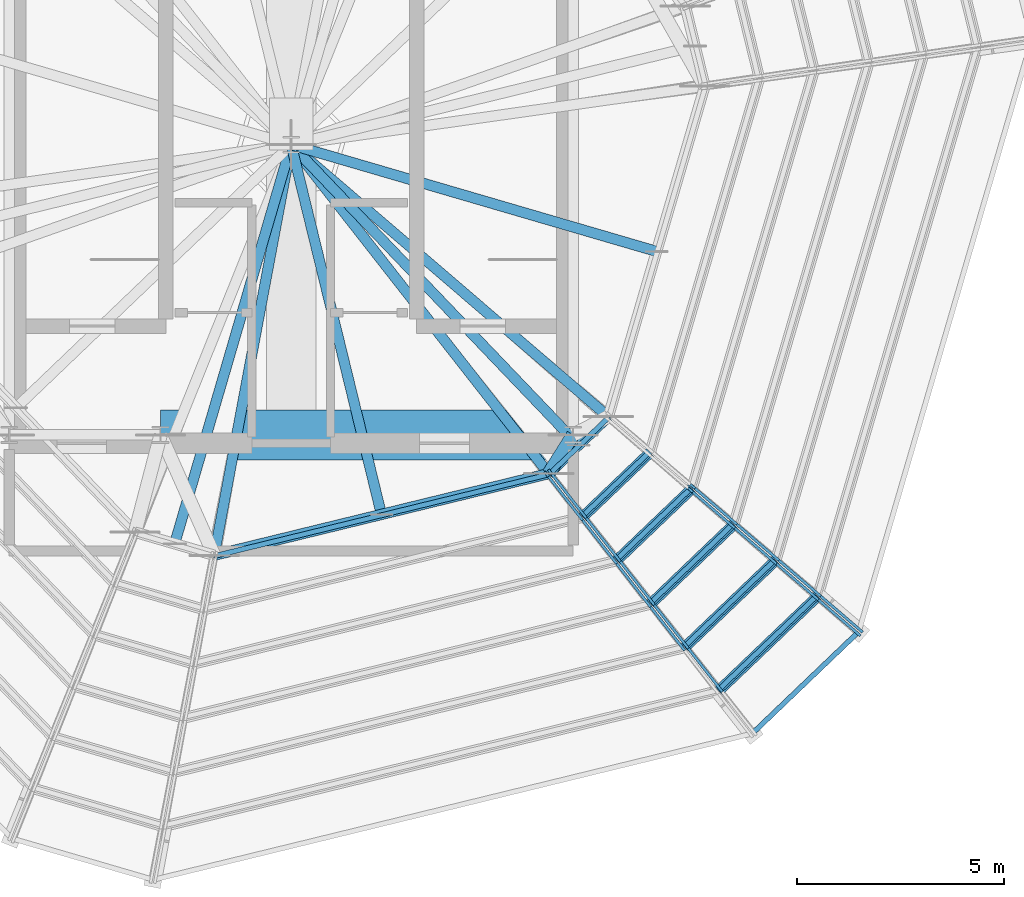
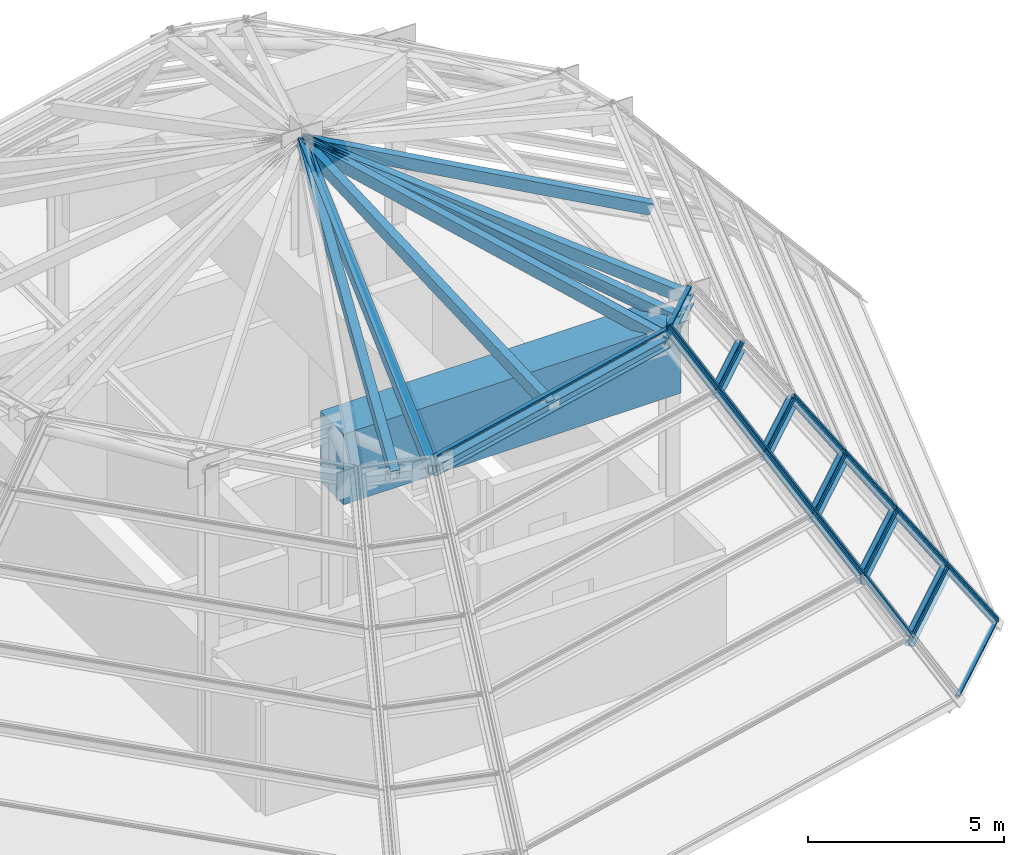
# One storey, part 4 of 13: 38 members, 8 beams, 14 elements without a shape of their own.
"""IFC4 building model written with IfcOpenShell, lengths in metres."""

from ifc_helpers import new_model, si_unit, direction, frame, origin, origin_2d, place, context, subcontext, project, spatial, rectangle, hollow_rectangle, hollow_circle, i_section, extrude, source, transform, mapped, material, layer, layer_set, material_profile, profile_set, type_object, element, aggregate, save


model = new_model("IFC4")

# Units and contexts
model_context = context("Model", 3, precision=1e-05, world=origin(), true_north=direction((0.0, 1.0)))
body_context = subcontext(model_context, "Body", "Model", "MODEL_VIEW")
ifc_project = project(units=[si_unit("LENGTHUNIT", "METRE"), si_unit("AREAUNIT", "SQUARE_METRE"), si_unit("VOLUMEUNIT", "CUBIC_METRE"), si_unit("PLANEANGLEUNIT", "RADIAN"), si_unit("MASSUNIT", "GRAM", prefix="KILO")], contexts=[model_context])

# Site, building, storey
site_placement = place(None, origin())
site = spatial("IfcSite", under=ifc_project, at=site_placement, CompositionType="ELEMENT")
building_placement = place(site_placement, origin())
building = spatial("IfcBuilding", under=site, at=building_placement, Name="Veraguas Prism Commons", CompositionType="ELEMENT")
storey_placement = place(building_placement, frame((0.0, 0.0, 268.89990234375)))
storey = spatial("IfcBuildingStorey", under=building, at=storey_placement, Name="RF", CompositionType="ELEMENT", Elevation=268.89990234375)

# Member
ifc_material_1 = material(Name="Steel ASTM A500 Grade C", Category="steel")
ifc_material_profile_1 = material_profile(ifc_material_1, hollow_circle(Radius=0.162109375, WallThickness=0.01611328125, at=origin_2d()), Name="CHS324X16")
ifc_profile_set_1 = profile_set([ifc_material_profile_1], Name="Steel ASTM A500 Grade C")
member_type_1 = type_object("IfcMemberType", Name="Crown Apex Collar Strut CHS 324x16", PredefinedType="STRUT", material=ifc_profile_set_1)
member_1_placement = place(storey_placement, frame((30.211181640625, 16.06689453125, 9.067138671875), z_axis=(0.533693263088, 0.845678130813, 0.0), x_axis=(-0.845678130813, 0.533693263088, 0.0)))
element("IfcMember", 1, at=member_1_placement, inside=storey, type_object=member_type_1, Name="Crown Apex Collar Strut 11", PredefinedType="STRUT", context=body_context, shape_type="SweptSolid", body=[
    extrude(hollow_circle(Radius=0.162109375, WallThickness=0.01611328125, at=origin_2d()), origin(), (0.0, 0.0, 1.0), 1.103271484375),
])

# Beams
ifc_material_2 = material(Name="Steel ASTM A992 Grade 50", Category="steel")
ifc_material_profile_2 = material_profile(ifc_material_2, i_section(OverallWidth=0.25390625, OverallDepth=0.305908203125, WebThickness=0.0087890625, FlangeThickness=0.0146484375, at=origin_2d()), Name="W310X79")
ifc_profile_set_2 = profile_set([ifc_material_profile_2], Name="Steel ASTM A992 Grade 50")
beam_type_1 = type_object("IfcBeamType", Name="Crown Ring Spandrel W310x79", PredefinedType="SPANDREL", material=ifc_profile_set_2)
beam_1_placement = place(storey_placement, frame((22.143310546875, 14.09716796875, 9.067138671875), z_axis=(0.971466173368, 0.23717814824, 0.0), x_axis=(-0.23717814824, 0.971466173368, 0.0)))
element("IfcBeam", 2, at=beam_1_placement, inside=storey, type_object=beam_type_1, Name="Crown Facet Ring Beam T6-V10", PredefinedType="SPANDREL", context=body_context, shape_type="SweptSolid", body=[
    extrude(i_section(OverallWidth=0.25390625, OverallDepth=0.305908203125, WebThickness=0.0087890625, FlangeThickness=0.0146484375, at=origin_2d()), origin(), (0.0, 0.0, 1.0), 8.304931640625),
])
beam_2_placement = place(storey_placement, frame((34.31298828125, 10.828125, 1.430419921875), z_axis=(0.722725400586, 0.691135294532, 0.0), x_axis=(-0.691135294532, 0.722725400586, 0.0)))
element("IfcBeam", 3, at=beam_2_placement, inside=storey, type_object=beam_type_1, Name="Crown Facet Ring Beam T1-V11", PredefinedType="SPANDREL", context=body_context, shape_type="SweptSolid", body=[
    extrude(i_section(OverallWidth=0.25390625, OverallDepth=0.305908203125, WebThickness=0.0087890625, FlangeThickness=0.0146484375, at=origin_2d()), origin(), (0.0, 0.0, 1.0), 3.300048828125),
])
beam_3_placement = place(storey_placement, frame((33.49267578125, 11.8759765625, 3.013916015625), z_axis=(0.722764040315, 0.691094886414, 0.0), x_axis=(-0.691094886414, 0.722764040315, 0.0)))
element("IfcBeam", 4, at=beam_3_placement, inside=storey, type_object=beam_type_1, Name="Crown Facet Ring Beam T2-V11", PredefinedType="SPANDREL", context=body_context, shape_type="SweptSolid", body=[
    extrude(i_section(OverallWidth=0.25390625, OverallDepth=0.305908203125, WebThickness=0.0087890625, FlangeThickness=0.0146484375, at=origin_2d()), origin(), (0.0, 0.0, 1.0), 3.037353515625),
])
beam_4_placement = place(storey_placement, frame((32.67236328125, 12.923583984375, 4.59716796875), z_axis=(0.722722098814, 0.691138747204, 0.0), x_axis=(-0.691138747204, 0.722722098814, 0.0)))
element("IfcBeam", 5, at=beam_4_placement, inside=storey, type_object=beam_type_1, Name="Crown Facet Ring Beam T3-V11", PredefinedType="SPANDREL", context=body_context, shape_type="SweptSolid", body=[
    extrude(i_section(OverallWidth=0.25390625, OverallDepth=0.305908203125, WebThickness=0.0087890625, FlangeThickness=0.0146484375, at=origin_2d()), origin(), (0.0, 0.0, 1.0), 2.775146484375),
])
beam_5_placement = place(storey_placement, frame((31.85205078125, 13.971435546875, 6.180419921875), z_axis=(0.722719930562, 0.691141014532, 0.0), x_axis=(-0.691141014532, 0.722719930562, 0.0)))
element("IfcBeam", 6, at=beam_5_placement, inside=storey, type_object=beam_type_1, Name="Crown Facet Ring Beam T4-V11", PredefinedType="SPANDREL", context=body_context, shape_type="SweptSolid", body=[
    extrude(i_section(OverallWidth=0.25390625, OverallDepth=0.305908203125, WebThickness=0.0087890625, FlangeThickness=0.0146484375, at=origin_2d()), origin(), (0.0, 0.0, 1.0), 2.5126953125),
])
beam_6_placement = place(storey_placement, frame((31.031494140625, 15.019287109375, 7.763916015625), z_axis=(0.722771454137, 0.691087132773, 0.0), x_axis=(-0.691087132773, 0.722771454137, 0.0)))
element("IfcBeam", 7, at=beam_6_placement, inside=storey, type_object=beam_type_1, Name="Crown Facet Ring Beam T5-V11", PredefinedType="SPANDREL", context=body_context, shape_type="SweptSolid", body=[
    extrude(i_section(OverallWidth=0.25390625, OverallDepth=0.305908203125, WebThickness=0.0087890625, FlangeThickness=0.0146484375, at=origin_2d()), origin(), (0.0, 0.0, 1.0), 2.25),
])
beam_7_placement = place(storey_placement, frame((30.211181640625, 16.06689453125, 9.067138671875), z_axis=(0.722713876146, 0.691147345525, 0.0), x_axis=(-0.691147345525, 0.722713876146, 0.0)))
element("IfcBeam", 8, at=beam_7_placement, inside=storey, type_object=beam_type_1, Name="Crown Facet Ring Beam T6-V11", PredefinedType="SPANDREL", context=body_context, shape_type="SweptSolid", body=[
    extrude(i_section(OverallWidth=0.25390625, OverallDepth=0.305908203125, WebThickness=0.0087890625, FlangeThickness=0.0146484375, at=origin_2d()), origin(), (0.0, 0.0, 1.0), 1.98779296875),
])

# Members
ifc_material_profile_3 = material_profile(ifc_material_1, hollow_rectangle(XDim=0.25, YDim=0.35009765625, WallThickness=0.01611328125, at=origin_2d()), Name="HSS350X250X16")
ifc_profile_set_3 = profile_set([ifc_material_profile_3], Name="Steel ASTM A500 Grade C")
member_type_2 = type_object("IfcMemberType", Name="Glass Point Crown Rib HSS 350x250x16", PredefinedType="RAFTER", material=ifc_profile_set_3)
member_2_placement = place(storey_placement, frame((21.189208984375, 14.375732421875, 9.067138671875), z_axis=(0.263990942743, 0.903916177701, 0.336517942821), x_axis=(-0.959900396633, 0.280341271567, 0.0)))
element("IfcMember", 9, at=member_2_placement, inside=storey, type_object=member_type_2, Name="Crown Pyramidal Mid Rafter 09", PredefinedType="RAFTER", context=body_context, shape_type="SweptSolid", body=[
    extrude(hollow_rectangle(XDim=0.25, YDim=0.35009765625, WallThickness=0.01611328125, at=origin_2d()), origin(), (0.0, 0.0, 1.0), 10.647216796875),
])
member_3_placement = place(storey_placement, frame((22.143310546875, 14.09716796875, 9.067138671875), z_axis=(0.17362756464, 0.926059339502, 0.33506352908), x_axis=(-0.982873832801, 0.184279756877, 0.0)))
element("IfcMember", 10, at=member_3_placement, inside=storey, type_object=member_type_2, Name="Crown Pyramidal Hip Rafter 10", PredefinedType="RAFTER", context=body_context, shape_type="SweptSolid", body=[
    extrude(hollow_rectangle(XDim=0.25, YDim=0.35009765625, WallThickness=0.01611328125, at=origin_2d()), origin(), (0.0, 0.0, 1.0), 10.693603515625),
])
member_4_placement = place(storey_placement, frame((26.17724609375, 15.08203125, 9.067138671875), z_axis=(-0.22094229963, 0.9049764881, 0.363596006881), x_axis=(-0.971466855013, -0.237175356247, 0.0)))
element("IfcMember", 11, at=member_4_placement, inside=storey, type_object=member_type_2, Name="Crown Pyramidal Mid Rafter 10", PredefinedType="RAFTER", context=body_context, shape_type="SweptSolid", body=[
    extrude(hollow_rectangle(XDim=0.25, YDim=0.35009765625, WallThickness=0.01611328125, at=origin_2d()), origin(), (0.0, 0.0, 1.0), 9.854248046875),
])
member_5_placement = place(storey_placement, frame((30.211181640625, 16.06689453125, 9.067138671875), z_axis=(-0.580837256523, 0.741862576685, 0.335064171091), x_axis=(-0.787376639644, -0.616472243774, 0.0)))
element("IfcMember", 12, at=member_5_placement, inside=storey, type_object=member_type_2, Name="Crown Pyramidal Hip Rafter 11", PredefinedType="RAFTER", context=body_context, shape_type="SweptSolid", body=[
    extrude(hollow_rectangle(XDim=0.25, YDim=0.35009765625, WallThickness=0.01611328125, at=origin_2d()), origin(), (0.0, 0.0, 1.0), 10.693603515625),
])
member_6_placement = place(storey_placement, frame((30.929443359375, 16.75390625, 9.067138671875), z_axis=(-0.650828414762, 0.680568909211, 0.336523898638), x_axis=(-0.722721706456, -0.691139157491, 0.0)))
element("IfcMember", 13, at=member_6_placement, inside=storey, type_object=member_type_2, Name="Crown Pyramidal Mid Rafter 11", PredefinedType="RAFTER", context=body_context, shape_type="SweptSolid", body=[
    extrude(hollow_rectangle(XDim=0.25, YDim=0.35009765625, WallThickness=0.01611328125, at=origin_2d()), origin(), (0.0, 0.0, 1.0), 10.647216796875),
])
member_7_placement = place(storey_placement, frame((31.647705078125, 17.440673828125, 9.067138671875), z_axis=(-0.715175884153, 0.613396024886, 0.335065324049), x_axis=(-0.651028810726, -0.759053020285, 0.0)))
element("IfcMember", 14, at=member_7_placement, inside=storey, type_object=member_type_2, Name="Crown Pyramidal Hip Rafter 12", PredefinedType="RAFTER", context=body_context, shape_type="SweptSolid", body=[
    extrude(hollow_rectangle(XDim=0.25, YDim=0.35009765625, WallThickness=0.01611328125, at=origin_2d()), origin(), (0.0, 0.0, 1.0), 10.693359375),
])
member_8_placement = place(storey_placement, frame((32.811767578125, 21.426513671875, 9.067138671875), z_axis=(-0.894201663487, 0.261152570715, 0.36359691944), x_axis=(-0.280340060642, -0.959900750286, 0.0)))
element("IfcMember", 15, at=member_8_placement, inside=storey, type_object=member_type_2, Name="Crown Pyramidal Mid Rafter 12", PredefinedType="RAFTER", context=body_context, shape_type="SweptSolid", body=[
    extrude(hollow_rectangle(XDim=0.25, YDim=0.35009765625, WallThickness=0.01611328125, at=origin_2d()), origin(), (0.0, 0.0, 1.0), 9.854248046875),
])

# Beam
ifc_material_3 = material(Name="Concrete C50/60", Category="concrete")
ifc_material_profile_4 = material_profile(ifc_material_3, rectangle(XDim=1.199951171875, YDim=2.199951171875, at=origin_2d()), Name="RC1200X2200")
ifc_profile_set_4 = profile_set([ifc_material_profile_4], Name="Concrete C50/60")
beam_type_2 = type_object("IfcBeamType", Name="Podium Transfer Girder RC 1200x2200", PredefinedType="BEAM", material=ifc_profile_set_4)
beam_8_placement = place(storey_placement, frame((20.85009765625, 17.0, 8.1201171875), z_axis=(1.0, 0.0, 0.0), x_axis=(0.0, 1.0, 0.0)))
element("IfcBeam", 16, at=beam_8_placement, inside=storey, type_object=beam_type_2, Name="Crown Apex Transfer Beam South", PredefinedType="BEAM", context=body_context, shape_type="SweptSolid", body=[
    extrude(rectangle(XDim=1.199951171875, YDim=2.199951171875, at=origin_2d()), origin(), (0.0, 0.0, 1.0), 9.949951171875),
])

# Curtain wall, member
ifc_material_4 = material(Name="Anodised aluminium EN AW-6063 T6", Category="aluminium")
ifc_layer = layer(ifc_material_4, 0.199951171875, Name="Faceted Glass Point Crown Curtain Wall", Category="aluminium")
ifc_layer_set = layer_set([ifc_layer], Name="Anodised aluminium EN AW-6063 T6")
curtain_wall_type = type_object("IfcCurtainWallType", Name="Faceted Glass Point Crown Curtain Wall", PredefinedType="NOTDEFINED", material=ifc_layer_set)
curtain_wall_1_placement = place(storey_placement, origin())
curtain_wall_1 = element("IfcCurtainWall", 17, at=curtain_wall_1_placement, inside=storey, type_object=curtain_wall_type, Name="Crown Glass-Point Facet T1-F11", PredefinedType="NOTDEFINED")
ifc_material_profile_5 = material_profile(ifc_material_4, hollow_rectangle(XDim=0.06494140625, YDim=0.199951171875, WallThickness=0.00390625, at=origin_2d()), Name="AL65X200X4")
ifc_profile_set_5 = profile_set([ifc_material_profile_5], Name="Anodised aluminium EN AW-6063 T6")
member_type_3 = type_object("IfcMemberType", Name="Curtain Wall Mullion Heavy AL 65x200x4", PredefinedType="MULLION", material=ifc_profile_set_5)
shared_shape_1 = source(origin(), body_context, "Body", "SweptSolid", [
    extrude(hollow_rectangle(XDim=0.06494140625, YDim=0.199951171875, WallThickness=0.00390625, at=origin_2d()), origin(), (0.0, 0.0, 1.0), 2.068359375),
])
member_9_placement = place(storey_placement, frame((37.670166015625, 12.206298828125, 0.0), z_axis=(-0.488302263112, 0.418898895766, 0.765561633682), x_axis=(-0.651108598929, -0.758984579817, 0.0)))
member_9 = element("IfcMember", 18, at=member_9_placement, type_object=member_type_3, Name="CW-CRN Mullion 2", PredefinedType="MULLION", context=body_context, shape_type="MappedRepresentation", body=[
    mapped(shared_shape_1, transform((0.0, 0.0, 0.0), scale=1.0)),
])

curtain_wall_2_placement = place(storey_placement, origin())
curtain_wall_2 = element("IfcCurtainWall", 19, at=curtain_wall_2_placement, inside=storey, type_object=curtain_wall_type, Name="Crown Glass-Point Facet T1-F12", PredefinedType="NOTDEFINED")
member_10_placement = place(storey_placement, frame((37.722900390625, 12.29296875, 0.0), z_axis=(-0.488326405053, 0.418801567592, 0.765599483484), x_axis=(-0.651002894994, -0.759075247066, 0.0)))
member_10 = element("IfcMember", 20, at=member_10_placement, type_object=member_type_3, Name="CW-CRN Mullion 1", PredefinedType="MULLION", context=body_context, shape_type="MappedRepresentation", body=[
    mapped(shared_shape_1, transform((0.0, 0.0, 0.0), scale=1.0)),
])
aggregate(curtain_wall_2, [member_10])

curtain_wall_3_placement = place(storey_placement, origin())
curtain_wall_3 = element("IfcCurtainWall", 21, at=curtain_wall_3_placement, inside=storey, type_object=curtain_wall_type, Name="Crown Glass-Point Facet T2-F11", PredefinedType="NOTDEFINED")
member_11_placement = place(storey_placement, frame((36.66015625, 13.07275390625, 1.58349609375), z_axis=(-0.48846042409, 0.418815269375, 0.765506488696), x_axis=(-0.65091223226, -0.759152992416, 0.0)))
member_11 = element("IfcMember", 22, at=member_11_placement, type_object=member_type_3, Name="CW-CRN Mullion 2", PredefinedType="MULLION", context=body_context, shape_type="MappedRepresentation", body=[
    mapped(shared_shape_1, transform((0.0, 0.0, 0.0), scale=1.0)),
])

curtain_wall_4_placement = place(storey_placement, origin())
curtain_wall_4 = element("IfcCurtainWall", 23, at=curtain_wall_4_placement, inside=storey, type_object=curtain_wall_type, Name="Crown Glass-Point Facet T2-F12", PredefinedType="NOTDEFINED")
member_12_placement = place(storey_placement, frame((36.712890625, 13.1591796875, 1.58349609375), z_axis=(-0.488436273944, 0.418912599378, 0.765468641016), x_axis=(-0.65101794313, -0.759062341131, 0.0)))
member_12 = element("IfcMember", 24, at=member_12_placement, type_object=member_type_3, Name="CW-CRN Mullion 1", PredefinedType="MULLION", context=body_context, shape_type="MappedRepresentation", body=[
    mapped(shared_shape_1, transform((0.0, 0.0, 0.0), scale=1.0)),
])
aggregate(curtain_wall_4, [member_12])

curtain_wall_5_placement = place(storey_placement, origin())
curtain_wall_5 = element("IfcCurtainWall", 25, at=curtain_wall_5_placement, inside=storey, type_object=curtain_wall_type, Name="Crown Glass-Point Facet T4-F10", PredefinedType="NOTDEFINED")
member_13_placement = place(storey_placement, frame((32.621337890625, 12.911376953125, 4.75), z_axis=(-0.396612466542, 0.506507170813, 0.765603707736), x_axis=(-0.78734235213, -0.616516034294, 0.0)))
member_13 = element("IfcMember", 26, at=member_13_placement, type_object=member_type_3, Name="CW-CRN Mullion 2", PredefinedType="MULLION", context=body_context, shape_type="MappedRepresentation", body=[
    mapped(shared_shape_1, transform((0.0, 0.0, 0.0), scale=1.0)),
])
aggregate(curtain_wall_5, [member_13])

# Curtain wall, members
curtain_wall_6_placement = place(storey_placement, origin())
curtain_wall_6 = element("IfcCurtainWall", 27, at=curtain_wall_6_placement, inside=storey, type_object=curtain_wall_type, Name="Crown Glass-Point Facet T4-F11", PredefinedType="NOTDEFINED")
member_14_placement = place(storey_placement, frame((32.71044921875, 12.9599609375, 4.75), z_axis=(-0.396711931209, 0.506483456357, 0.765567862487), x_axis=(-0.787253287757, -0.616629759998, 0.0)))
member_14 = element("IfcMember", 28, at=member_14_placement, type_object=member_type_3, Name="CW-CRN Mullion 1", PredefinedType="MULLION", context=body_context, shape_type="MappedRepresentation", body=[
    mapped(shared_shape_1, transform((0.0, 0.0, 0.0), scale=1.0)),
])
member_15_placement = place(storey_placement, frame((34.639892578125, 14.805419921875, 4.75), z_axis=(-0.488326405053, 0.418801567592, 0.765599483484), x_axis=(-0.651002894994, -0.759075247066, 0.0)))
member_15 = element("IfcMember", 29, at=member_15_placement, type_object=member_type_3, Name="CW-CRN Mullion 2", PredefinedType="MULLION", context=body_context, shape_type="MappedRepresentation", body=[
    mapped(shared_shape_1, transform((0.0, 0.0, 0.0), scale=1.0)),
])

# Curtain wall, member
curtain_wall_7_placement = place(storey_placement, origin())
curtain_wall_7 = element("IfcCurtainWall", 30, at=curtain_wall_7_placement, inside=storey, type_object=curtain_wall_type, Name="Crown Glass-Point Facet T4-F12", PredefinedType="NOTDEFINED")
member_16_placement = place(storey_placement, frame((34.692626953125, 14.89208984375, 4.75), z_axis=(-0.488326405053, 0.418801567592, 0.765599483484), x_axis=(-0.651002894994, -0.759075247066, 0.0)))
member_16 = element("IfcMember", 31, at=member_16_placement, type_object=member_type_3, Name="CW-CRN Mullion 1", PredefinedType="MULLION", context=body_context, shape_type="MappedRepresentation", body=[
    mapped(shared_shape_1, transform((0.0, 0.0, 0.0), scale=1.0)),
])
aggregate(curtain_wall_7, [member_16])

# Member
ifc_material_profile_6 = material_profile(ifc_material_4, hollow_rectangle(XDim=0.050048828125, YDim=0.1201171875, WallThickness=0.0029296875, at=origin_2d()), Name="AL50X120X3")
ifc_profile_set_6 = profile_set([ifc_material_profile_6], Name="Anodised aluminium EN AW-6063 T6")
member_type_4 = type_object("IfcMemberType", Name="Curtain Wall Transom Crown AL 50x120x3", PredefinedType="USERDEFINED", material=ifc_profile_set_6)
shared_shape_2 = source(origin(), body_context, "Body", "SweptSolid", [
    extrude(hollow_rectangle(XDim=0.050048828125, YDim=0.1201171875, WallThickness=0.0029296875, at=origin_2d()), origin(), (0.0, 0.0, 1.0), 3.453125),
])
member_17_placement = place(storey_placement, frame((35.158447265625, 9.833251953125, 0.025146484375), z_axis=(0.722697130784, 0.691164855267, 0.0), x_axis=(0.0, 0.0, 1.0)))
member_17 = element("IfcMember", 32, at=member_17_placement, type_object=member_type_4, Name="CW-CRN Transom 1", ObjectType="TRANSOM", PredefinedType="USERDEFINED", context=body_context, shape_type="MappedRepresentation", body=[
    mapped(shared_shape_2, transform((0.0, 0.0, 0.0), scale=1.0)),
])

shared_shape_3 = source(origin(), body_context, "Body", "SweptSolid", [
    extrude(hollow_rectangle(XDim=0.050048828125, YDim=0.1201171875, WallThickness=0.0029296875, at=origin_2d()), origin(), (0.0, 0.0, 1.0), 3.198974609375),
])
member_18_placement = place(storey_placement, frame((34.364013671875, 10.847900390625, 1.558349609375), z_axis=(0.722728038479, 0.691132536057, 0.0), x_axis=(0.0, 0.0, 1.0)))
member_18 = element("IfcMember", 33, at=member_18_placement, type_object=member_type_4, Name="CW-CRN Transom 2", ObjectType="TRANSOM", PredefinedType="USERDEFINED", context=body_context, shape_type="MappedRepresentation", body=[
    mapped(shared_shape_3, transform((0.0, 0.0, 0.0), scale=1.0)),
])

aggregate(curtain_wall_1, [member_9, member_17, member_18])

shared_shape_4 = source(origin(), body_context, "Body", "SweptSolid", [
    extrude(hollow_rectangle(XDim=0.06494140625, YDim=0.199951171875, WallThickness=0.00390625, at=origin_2d()), origin(), (0.0, 0.0, 1.0), 2.068115234375),
])
member_19_placement = place(storey_placement, frame((34.35107421875, 10.8642578125, 1.58349609375), z_axis=(-0.396624591411, 0.506640698315, 0.765509070031), x_axis=(-0.787412078932, -0.616426976983, 0.0)))
member_19 = element("IfcMember", 34, at=member_19_placement, type_object=member_type_3, Name="CW-CRN Mullion 1", PredefinedType="MULLION", context=body_context, shape_type="MappedRepresentation", body=[
    mapped(shared_shape_4, transform((0.0, 0.0, 0.0), scale=1.0)),
])

# Curtain wall, member
curtain_wall_8_placement = place(storey_placement, origin())
curtain_wall_8 = element("IfcCurtainWall", 35, at=curtain_wall_8_placement, inside=storey, type_object=curtain_wall_type, Name="Crown Glass-Point Facet T3-F10", PredefinedType="NOTDEFINED")
member_20_placement = place(storey_placement, frame((33.441650390625, 11.863525390625, 3.166748046875), z_axis=(-0.396624591411, 0.506640698315, 0.765509070031), x_axis=(-0.787412078932, -0.616426976983, 0.0)))
member_20 = element("IfcMember", 36, at=member_20_placement, type_object=member_type_3, Name="CW-CRN Mullion 2", PredefinedType="MULLION", context=body_context, shape_type="MappedRepresentation", body=[
    mapped(shared_shape_4, transform((0.0, 0.0, 0.0), scale=1.0)),
])
aggregate(curtain_wall_8, [member_20])

# Curtain wall, members
curtain_wall_9_placement = place(storey_placement, origin())
curtain_wall_9 = element("IfcCurtainWall", 37, at=curtain_wall_9_placement, inside=storey, type_object=curtain_wall_type, Name="Crown Glass-Point Facet T3-F11", PredefinedType="NOTDEFINED")
member_21_placement = place(storey_placement, frame((33.53076171875, 11.912109375, 3.166748046875), z_axis=(-0.396624591411, 0.506640698315, 0.765509070031), x_axis=(-0.787412078932, -0.616426976983, 0.0)))
member_21 = element("IfcMember", 38, at=member_21_placement, type_object=member_type_3, Name="CW-CRN Mullion 1", PredefinedType="MULLION", context=body_context, shape_type="MappedRepresentation", body=[
    mapped(shared_shape_4, transform((0.0, 0.0, 0.0), scale=1.0)),
])
member_22_placement = place(storey_placement, frame((35.64990234375, 13.93896484375, 3.166748046875), z_axis=(-0.48834638941, 0.418936750306, 0.765512771411), x_axis=(-0.651108598929, -0.758984579817, 0.0)))
member_22 = element("IfcMember", 39, at=member_22_placement, type_object=member_type_3, Name="CW-CRN Mullion 2", PredefinedType="MULLION", context=body_context, shape_type="MappedRepresentation", body=[
    mapped(shared_shape_4, transform((0.0, 0.0, 0.0), scale=1.0)),
])

# Curtain wall, member
curtain_wall_10_placement = place(storey_placement, origin())
curtain_wall_10 = element("IfcCurtainWall", 40, at=curtain_wall_10_placement, inside=storey, type_object=curtain_wall_type, Name="Crown Glass-Point Facet T3-F12", PredefinedType="NOTDEFINED")
member_23_placement = place(storey_placement, frame((35.70263671875, 14.025634765625, 3.166748046875), z_axis=(-0.48834638941, 0.418936750306, 0.765512771411), x_axis=(-0.651108598929, -0.758984579817, 0.0)))
member_23 = element("IfcMember", 41, at=member_23_placement, type_object=member_type_3, Name="CW-CRN Mullion 1", PredefinedType="MULLION", context=body_context, shape_type="MappedRepresentation", body=[
    mapped(shared_shape_4, transform((0.0, 0.0, 0.0), scale=1.0)),
])
aggregate(curtain_wall_10, [member_23])

curtain_wall_11_placement = place(storey_placement, origin())
curtain_wall_11 = element("IfcCurtainWall", 42, at=curtain_wall_11_placement, inside=storey, type_object=curtain_wall_type, Name="Crown Glass-Point Facet T5-F10", PredefinedType="NOTDEFINED")
member_24_placement = place(storey_placement, frame((31.801025390625, 13.958984375, 6.33349609375), z_axis=(-0.396624591411, 0.506640698315, 0.765509070031), x_axis=(-0.787412078932, -0.616426976983, 0.0)))
member_24 = element("IfcMember", 43, at=member_24_placement, type_object=member_type_3, Name="CW-CRN Mullion 2", PredefinedType="MULLION", context=body_context, shape_type="MappedRepresentation", body=[
    mapped(shared_shape_4, transform((0.0, 0.0, 0.0), scale=1.0)),
])
aggregate(curtain_wall_11, [member_24])

curtain_wall_12_placement = place(storey_placement, origin())
curtain_wall_12 = element("IfcCurtainWall", 44, at=curtain_wall_12_placement, inside=storey, type_object=curtain_wall_type, Name="Crown Glass-Point Facet T5-F11", PredefinedType="NOTDEFINED")
member_25_placement = place(storey_placement, frame((31.889892578125, 14.007568359375, 6.33349609375), z_axis=(-0.396624591411, 0.506640698315, 0.765509070031), x_axis=(-0.787412078932, -0.616426976983, 0.0)))
member_25 = element("IfcMember", 45, at=member_25_placement, type_object=member_type_3, Name="CW-CRN Mullion 1", PredefinedType="MULLION", context=body_context, shape_type="MappedRepresentation", body=[
    mapped(shared_shape_4, transform((0.0, 0.0, 0.0), scale=1.0)),
])

curtain_wall_13_placement = place(storey_placement, origin())
curtain_wall_13 = element("IfcCurtainWall", 46, at=curtain_wall_13_placement, inside=storey, type_object=curtain_wall_type, Name="Crown Glass-Point Facet T6-F10", PredefinedType="NOTDEFINED")
member_26_placement = place(storey_placement, frame((30.980712890625, 15.0068359375, 7.916748046875), z_axis=(-0.39664831107, 0.506552947262, 0.765554850383), x_axis=(-0.78734235213, -0.616516034294, 0.0)))
member_26 = element("IfcMember", 47, at=member_26_placement, type_object=member_type_3, Name="CW-CRN Mullion 2", PredefinedType="MULLION", context=body_context, shape_type="MappedRepresentation", body=[
    mapped(shared_shape_4, transform((0.0, 0.0, 0.0), scale=1.0)),
])

curtain_wall_14_placement = place(storey_placement, origin())
curtain_wall_14 = element("IfcCurtainWall", 48, at=curtain_wall_14_placement, inside=storey, type_object=curtain_wall_type, Name="Crown Glass-Point Facet T6-F11", PredefinedType="NOTDEFINED")
member_27_placement = place(storey_placement, frame((31.069580078125, 15.055419921875, 7.916748046875), z_axis=(-0.396624591411, 0.506640698315, 0.765509070031), x_axis=(-0.787412078932, -0.616426976983, 0.0)))
member_27 = element("IfcMember", 49, at=member_27_placement, type_object=member_type_3, Name="CW-CRN Mullion 1", PredefinedType="MULLION", context=body_context, shape_type="MappedRepresentation", body=[
    mapped(shared_shape_4, transform((0.0, 0.0, 0.0), scale=1.0)),
])

# Member
shared_shape_5 = source(origin(), body_context, "Body", "SweptSolid", [
    extrude(hollow_rectangle(XDim=0.050048828125, YDim=0.1201171875, WallThickness=0.0029296875, at=origin_2d()), origin(), (0.0, 0.0, 1.0), 3.19091796875),
])
member_28_placement = place(storey_placement, frame((34.338134765625, 10.880859375, 1.6083984375), z_axis=(0.7226551503, 0.691208748313, 0.0), x_axis=(0.0, 0.0, 1.0)))
member_28 = element("IfcMember", 50, at=member_28_placement, type_object=member_type_4, Name="CW-CRN Transom 1", ObjectType="TRANSOM", PredefinedType="USERDEFINED", context=body_context, shape_type="MappedRepresentation", body=[
    mapped(shared_shape_5, transform((0.0, 0.0, 0.0), scale=1.0)),
])

shared_shape_6 = source(origin(), body_context, "Body", "SweptSolid", [
    extrude(hollow_rectangle(XDim=0.050048828125, YDim=0.1201171875, WallThickness=0.0029296875, at=origin_2d()), origin(), (0.0, 0.0, 1.0), 2.936767578125),
])
member_29_placement = place(storey_placement, frame((33.543701171875, 11.8955078125, 3.141845703125), z_axis=(0.72268518725, 0.691177343472, 0.0), x_axis=(0.0, 0.0, 1.0)))
member_29 = element("IfcMember", 51, at=member_29_placement, type_object=member_type_4, Name="CW-CRN Transom 2", ObjectType="TRANSOM", PredefinedType="USERDEFINED", context=body_context, shape_type="MappedRepresentation", body=[
    mapped(shared_shape_6, transform((0.0, 0.0, 0.0), scale=1.0)),
])

aggregate(curtain_wall_3, [member_19, member_11, member_28, member_29])

shared_shape_7 = source(origin(), body_context, "Body", "SweptSolid", [
    extrude(hollow_rectangle(XDim=0.050048828125, YDim=0.1201171875, WallThickness=0.0029296875, at=origin_2d()), origin(), (0.0, 0.0, 1.0), 2.92822265625),
])
member_30_placement = place(storey_placement, frame((33.517822265625, 11.9287109375, 3.19189453125), z_axis=(0.722688933589, 0.691173426333, 0.0), x_axis=(0.0, 0.0, 1.0)))
member_30 = element("IfcMember", 52, at=member_30_placement, type_object=member_type_4, Name="CW-CRN Transom 1", ObjectType="TRANSOM", PredefinedType="USERDEFINED", context=body_context, shape_type="MappedRepresentation", body=[
    mapped(shared_shape_7, transform((0.0, 0.0, 0.0), scale=1.0)),
])

shared_shape_8 = source(origin(), body_context, "Body", "SweptSolid", [
    extrude(hollow_rectangle(XDim=0.050048828125, YDim=0.1201171875, WallThickness=0.0029296875, at=origin_2d()), origin(), (0.0, 0.0, 1.0), 2.674072265625),
])
member_31_placement = place(storey_placement, frame((32.723388671875, 12.943359375, 4.72509765625), z_axis=(0.722635908681, 0.691228864766, 0.0), x_axis=(0.0, 0.0, 1.0)))
member_31 = element("IfcMember", 53, at=member_31_placement, type_object=member_type_4, Name="CW-CRN Transom 2", ObjectType="TRANSOM", PredefinedType="USERDEFINED", context=body_context, shape_type="MappedRepresentation", body=[
    mapped(shared_shape_8, transform((0.0, 0.0, 0.0), scale=1.0)),
])

aggregate(curtain_wall_9, [member_21, member_22, member_30, member_31])

shared_shape_9 = source(origin(), body_context, "Body", "SweptSolid", [
    extrude(hollow_rectangle(XDim=0.050048828125, YDim=0.1201171875, WallThickness=0.0029296875, at=origin_2d()), origin(), (0.0, 0.0, 1.0), 2.665771484375),
])
member_32_placement = place(storey_placement, frame((32.697509765625, 12.9765625, 4.775146484375), z_axis=(0.722683624311, 0.691178977655, 0.0), x_axis=(0.0, 0.0, 1.0)))
member_32 = element("IfcMember", 54, at=member_32_placement, type_object=member_type_4, Name="CW-CRN Transom 1", ObjectType="TRANSOM", PredefinedType="USERDEFINED", context=body_context, shape_type="MappedRepresentation", body=[
    mapped(shared_shape_9, transform((0.0, 0.0, 0.0), scale=1.0)),
])

shared_shape_10 = source(origin(), body_context, "Body", "SweptSolid", [
    extrude(hollow_rectangle(XDim=0.050048828125, YDim=0.1201171875, WallThickness=0.0029296875, at=origin_2d()), origin(), (0.0, 0.0, 1.0), 2.41162109375),
])
member_33_placement = place(storey_placement, frame((31.90283203125, 13.9912109375, 6.308349609375), z_axis=(0.722723200648, 0.691137595017, 0.0), x_axis=(0.0, 0.0, 1.0)))
member_33 = element("IfcMember", 55, at=member_33_placement, type_object=member_type_4, Name="CW-CRN Transom 2", ObjectType="TRANSOM", PredefinedType="USERDEFINED", context=body_context, shape_type="MappedRepresentation", body=[
    mapped(shared_shape_10, transform((0.0, 0.0, 0.0), scale=1.0)),
])

aggregate(curtain_wall_6, [member_14, member_15, member_32, member_33])

shared_shape_11 = source(origin(), body_context, "Body", "SweptSolid", [
    extrude(hollow_rectangle(XDim=0.050048828125, YDim=0.1201171875, WallThickness=0.0029296875, at=origin_2d()), origin(), (0.0, 0.0, 1.0), 2.403564453125),
])
member_34_placement = place(storey_placement, frame((31.876953125, 14.024169921875, 6.3583984375), z_axis=(0.722725681051, 0.691135001247, 0.0), x_axis=(0.0, 0.0, 1.0)))
member_34 = element("IfcMember", 56, at=member_34_placement, type_object=member_type_4, Name="CW-CRN Transom 1", ObjectType="TRANSOM", PredefinedType="USERDEFINED", context=body_context, shape_type="MappedRepresentation", body=[
    mapped(shared_shape_11, transform((0.0, 0.0, 0.0), scale=1.0)),
])

shared_shape_12 = source(origin(), body_context, "Body", "SweptSolid", [
    extrude(hollow_rectangle(XDim=0.050048828125, YDim=0.1201171875, WallThickness=0.0029296875, at=origin_2d()), origin(), (0.0, 0.0, 1.0), 2.149169921875),
])
member_35_placement = place(storey_placement, frame((31.08251953125, 15.038818359375, 7.891845703125), z_axis=(0.722720800247, 0.691140105109, 0.0), x_axis=(0.0, 0.0, 1.0)))
member_35 = element("IfcMember", 57, at=member_35_placement, type_object=member_type_4, Name="CW-CRN Transom 2", ObjectType="TRANSOM", PredefinedType="USERDEFINED", context=body_context, shape_type="MappedRepresentation", body=[
    mapped(shared_shape_12, transform((0.0, 0.0, 0.0), scale=1.0)),
])

aggregate(curtain_wall_12, [member_25, member_34, member_35])

shared_shape_13 = source(origin(), body_context, "Body", "SweptSolid", [
    extrude(hollow_rectangle(XDim=0.050048828125, YDim=0.1201171875, WallThickness=0.0029296875, at=origin_2d()), origin(), (0.0, 0.0, 1.0), 1.88671875),
])
member_36_placement = place(storey_placement, frame((30.26220703125, 16.086669921875, 9.47509765625), z_axis=(0.722717731957, 0.691143313587, 0.0), x_axis=(0.0, 0.0, 1.0)))
member_36 = element("IfcMember", 58, at=member_36_placement, type_object=member_type_4, Name="CW-CRN Transom 2", ObjectType="TRANSOM", PredefinedType="USERDEFINED", context=body_context, shape_type="MappedRepresentation", body=[
    mapped(shared_shape_13, transform((0.0, 0.0, 0.0), scale=1.0)),
])

shared_shape_14 = source(origin(), body_context, "Body", "SweptSolid", [
    extrude(hollow_rectangle(XDim=0.050048828125, YDim=0.1201171875, WallThickness=0.0029296875, at=origin_2d()), origin(), (0.0, 0.0, 1.0), 8.217529296875),
])
member_37_placement = place(storey_placement, frame((22.190185546875, 14.0888671875, 9.47509765625), z_axis=(0.971468102698, 0.237170245691, 0.0), x_axis=(0.0, 0.0, 1.0)))
member_37 = element("IfcMember", 59, at=member_37_placement, type_object=member_type_4, Name="CW-CRN Transom 2", ObjectType="TRANSOM", PredefinedType="USERDEFINED", context=body_context, shape_type="MappedRepresentation", body=[
    mapped(shared_shape_14, transform((0.0, 0.0, 0.0), scale=1.0)),
])

aggregate(curtain_wall_13, [member_26, member_37])

shared_shape_15 = source(origin(), body_context, "Body", "SweptSolid", [
    extrude(hollow_rectangle(XDim=0.050048828125, YDim=0.1201171875, WallThickness=0.0029296875, at=origin_2d()), origin(), (0.0, 0.0, 1.0), 2.140625),
])
member_38_placement = place(storey_placement, frame((31.056640625, 15.072021484375, 7.94189453125), z_axis=(0.722726065371, 0.691134599361, 0.0), x_axis=(0.0, 0.0, 1.0)))
member_38 = element("IfcMember", 60, at=member_38_placement, type_object=member_type_4, Name="CW-CRN Transom 1", ObjectType="TRANSOM", PredefinedType="USERDEFINED", context=body_context, shape_type="MappedRepresentation", body=[
    mapped(shared_shape_15, transform((0.0, 0.0, 0.0), scale=1.0)),
])

aggregate(curtain_wall_14, [member_27, member_38, member_36])

save(model, "model.ifc")
